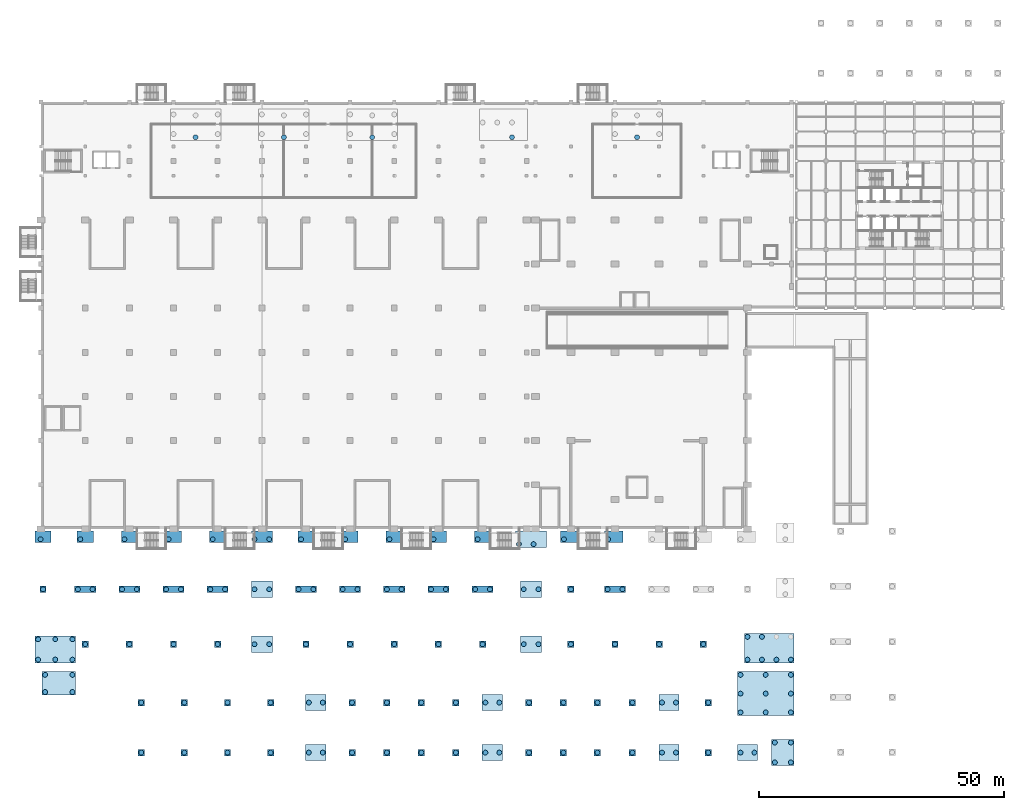
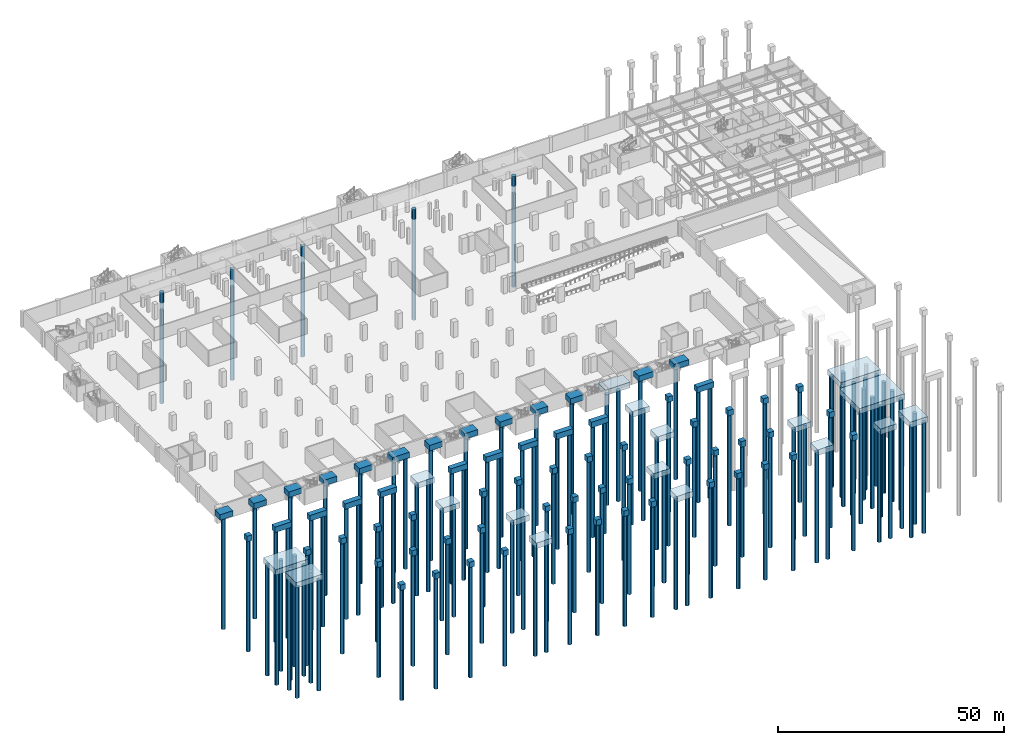
# One storey, part 1 of 27: 133 piles, 81 footings.
"""IFC4 building model written with IfcOpenShell, lengths in metres."""

from ifc_helpers import new_model, si_unit, direction, frame, origin, origin_2d, place, context, subcontext, project, spatial, rectangle, circle, extrude, material, material_profile, profile_set, type_object, element, save


model = new_model("IFC4")

# Units and contexts
model_context = context("Model", 3, precision=1e-05, world=origin(), true_north=direction((0.0, 1.0)))
body_context = subcontext(model_context, "Body", "Model", "MODEL_VIEW")
ifc_project = project(units=[si_unit("LENGTHUNIT", "METRE"), si_unit("AREAUNIT", "SQUARE_METRE"), si_unit("VOLUMEUNIT", "CUBIC_METRE"), si_unit("PLANEANGLEUNIT", "RADIAN"), si_unit("MASSUNIT", "GRAM", prefix="KILO")], contexts=[model_context])

# Site, building, storey
site_placement = place(None, origin())
site = spatial("IfcSite", under=ifc_project, at=site_placement, CompositionType="ELEMENT")
building_placement = place(site_placement, origin())
building = spatial("IfcBuilding", under=site, at=building_placement, Name="Aravalli Gate Trade Fair Centre", CompositionType="ELEMENT")
storey_placement = place(building_placement, frame((0.0, 0.0, -4.199951171875)))
storey = spatial("IfcBuildingStorey", under=building, at=storey_placement, Name="B1", CompositionType="ELEMENT", Elevation=-4.199951171875)

# Piles
ifc_material = material(Name="Concrete M35", Category="concrete")
ifc_material_profile = material_profile(ifc_material, circle(Radius=0.5, at=origin_2d()), Name="D1000")
ifc_profile_set = profile_set([ifc_material_profile], Name="Concrete M35")
pile_type = type_object("IfcPileType", Name="Basement bored pile D1000", PredefinedType="BORED", material=ifc_profile_set)
for number, where, z_axis, x_axis, name in (
    (1, (155.580078125, -1.60009765625, 2.39990234375), (0.0, 0.0, -1.0), (1.0, 0.0, 0.0), "Basement bored pile W001-01"),
    (2, (155.580078125, 2.449951171875, 2.39990234375), (0.0, 0.0, -1.0), (1.0, 0.0, 0.0), "Basement bored pile W001-02"),
    (3, (158.85009765625, -1.60009765625, 2.39990234375), (0.0, 0.0, -1.0), (1.0, 0.0, 0.0), "Basement bored pile W001-03"),
    (4, (158.85009765625, 2.449951171875, 2.39990234375), (0.0, 0.0, -1.0), (1.0, 0.0, 0.0), "Basement bored pile W001-04"),
    (5, (60.580078125, 0.39990234375, 2.39990234375), (0.0, 0.0, -1.0), (1.0, 0.0, 0.0), "Basement bored pile W002-01"),
    (6, (63.419921875, 0.39990234375, 2.39990234375), (0.0, 0.0, -1.0), (1.0, 0.0, 0.0), "Basement bored pile W002-02"),
    (7, (96.580078125, 0.39990234375, 2.39990234375), (0.0, 0.0, -1.0), (1.0, 0.0, 0.0), "Basement bored pile W003-01"),
    (8, (99.419921875, 0.39990234375, 2.39990234375), (0.0, 0.0, -1.0), (1.0, 0.0, 0.0), "Basement bored pile W003-02"),
    (9, (132.580078125, 0.39990234375, 2.39990234375), (0.0, 0.0, -1.0), (1.0, 0.0, 0.0), "Basement bored pile W004-01"),
    (10, (135.419921875, 0.39990234375, 2.39990234375), (0.0, 0.0, -1.0), (1.0, 0.0, 0.0), "Basement bored pile W004-02"),
    (11, (148.580078125, 0.39990234375, 2.39990234375), (0.0, 0.0, -1.0), (1.0, 0.0, 0.0), "Basement bored pile W005-01"),
    (12, (151.419921875, 0.39990234375, 2.39990234375), (0.0, 0.0, -1.0), (1.0, 0.0, 0.0), "Basement bored pile W005-02"),
    (13, (26.419921875, 0.39990234375, 2.39990234375), (0.0, 0.0, -1.0), (1.0, 0.0, 0.0), "Basement bored pile W006-01"),
    (14, (35.2099609375, 0.39990234375, 2.39990234375), (0.0, 0.0, -1.0), (1.0, 0.0, 0.0), "Basement bored pile W007-01"),
    (15, (44.0, 0.39990234375, 2.39990234375), (0.0, 0.0, -1.0), (1.0, 0.0, 0.0), "Basement bored pile W008-01"),
    (16, (52.7900390625, 0.39990234375, 2.39990234375), (0.0, 0.0, -1.0), (1.0, 0.0, 0.0), "Basement bored pile W009-01"),
    (17, (69.402099609375, 0.39990234375, 2.39990234375), (0.0, 0.0, -1.0), (1.0, 0.0, 0.0), "Basement bored pile W010-01"),
    (18, (76.48388671875, 0.39990234375, 2.39990234375), (0.0, 0.0, -1.0), (1.0, 0.0, 0.0), "Basement bored pile W011-01"),
    (19, (83.51611328125, 0.39990234375, 2.39990234375), (0.0, 0.0, -1.0), (1.0, 0.0, 0.0), "Basement bored pile W012-01"),
    (20, (90.548095703125, 0.39990234375, 2.39990234375), (0.0, 0.0, -1.0), (1.0, 0.0, 0.0), "Basement bored pile W013-01"),
    (21, (105.451904296875, 0.39990234375, 2.39990234375), (0.0, 0.0, -1.0), (1.0, 0.0, 0.0), "Basement bored pile W014-01"),
    (22, (112.48388671875, 0.39990234375, 2.39990234375), (0.0, 0.0, -1.0), (1.0, 0.0, 0.0), "Basement bored pile W015-01"),
    (23, (119.416015625, 0.39990234375, 2.39990234375), (0.0, 0.0, -1.0), (1.0, 0.0, 0.0), "Basement bored pile W016-01"),
    (24, (126.548095703125, 0.39990234375, 2.39990234375), (0.0, 0.0, -1.0), (1.0, 0.0, 0.0), "Basement bored pile W017-01"),
    (25, (142.0, 0.39990234375, 2.39990234375), (0.0, 0.0, -1.0), (1.0, 0.0, 0.0), "Basement bored pile W018-01"),
    (26, (148.580078125, 8.60009765625, 2.39990234375), (0.0, 0.0, -1.0), (1.0, 0.0, 0.0), "Basement bored pile W019-01"),
    (27, (148.580078125, 12.425048828125, 2.39990234375), (0.0, 0.0, -1.0), (1.0, 0.0, 0.0), "Basement bored pile W019-02"),
    (28, (148.580078125, 16.25, 2.39990234375), (0.0, 0.0, -1.0), (1.0, 0.0, 0.0), "Basement bored pile W019-03"),
    (29, (153.715087890625, 8.60009765625, 2.39990234375), (0.0, 0.0, -1.0), (1.0, 0.0, 0.0), "Basement bored pile W019-04"),
    (30, (153.715087890625, 12.425048828125, 2.39990234375), (0.0, 0.0, -1.0), (1.0, 0.0, 0.0), "Basement bored pile W019-05"),
    (31, (153.715087890625, 16.25, 2.39990234375), (0.0, 0.0, -1.0), (1.0, 0.0, 0.0), "Basement bored pile W019-06"),
    (32, (158.85009765625, 8.60009765625, 2.39990234375), (0.0, 0.0, -1.0), (1.0, 0.0, 0.0), "Basement bored pile W019-07"),
    (33, (158.85009765625, 12.425048828125, 2.39990234375), (0.0, 0.0, -1.0), (1.0, 0.0, 0.0), "Basement bored pile W019-08"),
    (34, (158.85009765625, 16.25, 2.39990234375), (0.0, 0.0, -1.0), (1.0, 0.0, 0.0), "Basement bored pile W019-09"),
    (35, (60.580078125, 10.60009765625, 2.39990234375), (0.0, 0.0, -1.0), (1.0, 0.0, 0.0), "Basement bored pile W020-01"),
    (36, (63.419921875, 10.60009765625, 2.39990234375), (0.0, 0.0, -1.0), (1.0, 0.0, 0.0), "Basement bored pile W020-02"),
    (37, (96.580078125, 10.60009765625, 2.39990234375), (0.0, 0.0, -1.0), (1.0, 0.0, 0.0), "Basement bored pile W021-01"),
    (38, (99.419921875, 10.60009765625, 2.39990234375), (0.0, 0.0, -1.0), (1.0, 0.0, 0.0), "Basement bored pile W021-02"),
    (39, (132.580078125, 10.60009765625, 2.39990234375), (0.0, 0.0, -1.0), (1.0, 0.0, 0.0), "Basement bored pile W022-01"),
    (40, (135.419921875, 10.60009765625, 2.39990234375), (0.0, 0.0, -1.0), (1.0, 0.0, 0.0), "Basement bored pile W022-02"),
    (41, (26.419921875, 10.60009765625, 2.39990234375), (0.0, 0.0, -1.0), (1.0, 0.0, 0.0), "Basement bored pile W023-01"),
    (42, (35.2099609375, 10.60009765625, 2.39990234375), (0.0, 0.0, -1.0), (1.0, 0.0, 0.0), "Basement bored pile W024-01"),
    (43, (44.0, 10.60009765625, 2.39990234375), (0.0, 0.0, -1.0), (1.0, 0.0, 0.0), "Basement bored pile W025-01"),
    (44, (52.7900390625, 10.60009765625, 2.39990234375), (0.0, 0.0, -1.0), (1.0, 0.0, 0.0), "Basement bored pile W026-01"),
    (45, (69.402099609375, 10.60009765625, 2.39990234375), (0.0, 0.0, -1.0), (1.0, 0.0, 0.0), "Basement bored pile W027-01"),
    (46, (76.48388671875, 10.60009765625, 2.39990234375), (0.0, 0.0, -1.0), (1.0, 0.0, 0.0), "Basement bored pile W028-01"),
    (47, (83.51611328125, 10.60009765625, 2.39990234375), (0.0, 0.0, -1.0), (1.0, 0.0, 0.0), "Basement bored pile W029-01"),
    (48, (90.548095703125, 10.60009765625, 2.39990234375), (0.0, 0.0, -1.0), (1.0, 0.0, 0.0), "Basement bored pile W030-01"),
    (49, (105.451904296875, 10.60009765625, 2.39990234375), (0.0, 0.0, -1.0), (1.0, 0.0, 0.0), "Basement bored pile W031-01"),
    (50, (112.48388671875, 10.60009765625, 2.39990234375), (0.0, 0.0, -1.0), (1.0, 0.0, 0.0), "Basement bored pile W032-01"),
    (51, (119.416015625, 10.60009765625, 2.39990234375), (0.0, 0.0, -1.0), (1.0, 0.0, 0.0), "Basement bored pile W033-01"),
    (52, (126.548095703125, 10.60009765625, 2.39990234375), (0.0, 0.0, -1.0), (1.0, 0.0, 0.0), "Basement bored pile W034-01"),
    (53, (142.0, 10.60009765625, 2.39990234375), (0.0, 0.0, -1.0), (1.0, 0.0, 0.0), "Basement bored pile W035-01"),
    (54, (6.824951171875, 12.75, 2.39990234375), (0.0, 0.0, -1.0), (1.0, 0.0, 0.0), "Basement bored pile W036-01"),
    (55, (6.824951171875, 16.25, 2.39990234375), (0.0, 0.0, -1.0), (1.0, 0.0, 0.0), "Basement bored pile W036-02"),
    (56, (12.375, 12.75, 2.39990234375), (0.0, 0.0, -1.0), (1.0, 0.0, 0.0), "Basement bored pile W036-03"),
    (57, (12.375, 16.25, 2.39990234375), (0.0, 0.0, -1.0), (1.0, 0.0, 0.0), "Basement bored pile W036-04"),
    (58, (5.39990234375, 19.35009765625, 2.39990234375), (0.0, 0.0, -1.0), (1.0, 0.0, 0.0), "Basement bored pile W037-01"),
    (59, (5.39990234375, 23.5, 2.39990234375), (0.0, 0.0, -1.0), (1.0, 0.0, 0.0), "Basement bored pile W037-02"),
    (60, (8.887451171875, 19.35009765625, 2.39990234375), (0.0, 0.0, -1.0), (1.0, 0.0, 0.0), "Basement bored pile W037-03"),
    (61, (8.887451171875, 23.5, 2.39990234375), (0.0, 0.0, -1.0), (1.0, 0.0, 0.0), "Basement bored pile W037-04"),
    (62, (12.375, 19.35009765625, 2.39990234375), (0.0, 0.0, -1.0), (1.0, 0.0, 0.0), "Basement bored pile W037-05"),
    (63, (12.375, 23.5, 2.39990234375), (0.0, 0.0, -1.0), (1.0, 0.0, 0.0), "Basement bored pile W037-06"),
    (64, (150.0, 19.35009765625, 2.39990234375), (0.0, 0.0, -1.0), (1.0, 0.0, 0.0), "Basement bored pile W038-01"),
    (65, (150.0, 24.0, 2.39990234375), (0.0, 0.0, -1.0), (1.0, 0.0, 0.0), "Basement bored pile W038-02"),
    (66, (152.949951171875, 19.35009765625, 2.39990234375), (0.0, 0.0, -1.0), (1.0, 0.0, 0.0), "Basement bored pile W038-03"),
    (67, (152.949951171875, 24.0, 2.39990234375), (0.0, 0.0, -1.0), (1.0, 0.0, 0.0), "Basement bored pile W038-04"),
    (68, (155.89990234375, 19.35009765625, 2.39990234375), (0.0, 0.0, -1.0), (1.0, 0.0, 0.0), "Basement bored pile W038-05"),
    (69, (158.85009765625, 19.35009765625, 2.39990234375), (0.0, 0.0, -1.0), (1.0, 0.0, 0.0), "Basement bored pile W038-07"),
    (70, (49.5, 22.5, 2.39990234375), (0.0, 0.0, -1.0), (1.0, 0.0, 0.0), "Basement bored pile W039-01"),
    (71, (52.5, 22.5, 2.39990234375), (0.0, 0.0, -1.0), (1.0, 0.0, 0.0), "Basement bored pile W039-02"),
    (72, (104.39990234375, 22.5, 2.39990234375), (0.0, 0.0, -1.0), (1.0, 0.0, 0.0), "Basement bored pile W040-01"),
    (73, (107.39990234375, 22.5, 2.39990234375), (0.0, 0.0, -1.0), (1.0, 0.0, 0.0), "Basement bored pile W040-02"),
    (74, (15.0, 22.5, 2.39990234375), (0.0, 0.0, -1.0), (1.0, 0.0, 0.0), "Basement bored pile W041-01"),
    (75, (24.0, 22.5, 2.39990234375), (0.0, 0.0, -1.0), (1.0, 0.0, 0.0), "Basement bored pile W042-01"),
    (76, (33.0, 22.5, 2.39990234375), (0.0, 0.0, -1.0), (1.0, 0.0, 0.0), "Basement bored pile W043-01"),
    (77, (42.0, 22.5, 2.39990234375), (0.0, 0.0, -1.0), (1.0, 0.0, 0.0), "Basement bored pile W044-01"),
    (78, (60.0, 22.5, 2.39990234375), (0.0, 0.0, -1.0), (1.0, 0.0, 0.0), "Basement bored pile W045-01"),
    (79, (69.0, 22.5, 2.39990234375), (0.0, 0.0, -1.0), (1.0, 0.0, 0.0), "Basement bored pile W046-01"),
    (80, (78.0, 22.5, 2.39990234375), (0.0, 0.0, -1.0), (1.0, 0.0, 0.0), "Basement bored pile W047-01"),
    (81, (87.0, 22.5, 2.39990234375), (0.0, 0.0, -1.0), (1.0, 0.0, 0.0), "Basement bored pile W048-01"),
    (82, (96.0, 22.5, 2.39990234375), (0.0, 0.0, -1.0), (1.0, 0.0, 0.0), "Basement bored pile W049-01"),
    (83, (114.0, 22.5, 2.39990234375), (0.0, 0.0, -1.0), (1.0, 0.0, 0.0), "Basement bored pile W050-01"),
    (84, (123.0, 22.5, 2.39990234375), (0.0, 0.0, -1.0), (1.0, 0.0, 0.0), "Basement bored pile W051-01"),
    (85, (132.0, 22.5, 2.39990234375), (0.0, 0.0, -1.0), (1.0, 0.0, 0.0), "Basement bored pile W052-01"),
    (86, (141.0, 22.5, 2.39990234375), (0.0, 0.0, -1.0), (1.0, 0.0, 0.0), "Basement bored pile W053-01"),
    (87, (49.5, 33.699951171875, 2.39990234375), (0.0, 0.0, -1.0), (1.0, 0.0, 0.0), "Basement bored pile W054-01"),
    (88, (52.5, 33.699951171875, 2.39990234375), (0.0, 0.0, -1.0), (1.0, 0.0, 0.0), "Basement bored pile W054-02"),
    (89, (104.39990234375, 33.699951171875, 2.39990234375), (0.0, 0.0, -1.0), (1.0, 0.0, 0.0), "Basement bored pile W055-01"),
    (90, (107.39990234375, 33.699951171875, 2.39990234375), (0.0, 0.0, -1.0), (1.0, 0.0, 0.0), "Basement bored pile W055-02"),
    (91, (6.39990234375, 33.699951171875, 2.39990234375), (0.0, 0.0, -1.0), (1.0, 0.0, 0.0), "Basement bored pile W057-01"),
    (92, (13.5, 33.699951171875, 2.39990234375), (0.0, 0.0, -1.0), (1.0, 0.0, 0.0), "Basement bored pile W058-01"),
    (93, (16.5, 33.699951171875, 2.39990234375), (0.0, 0.0, -1.0), (1.0, 0.0, 0.0), "Basement bored pile W058-02"),
    (94, (22.5, 33.699951171875, 2.39990234375), (0.0, 0.0, -1.0), (1.0, 0.0, 0.0), "Basement bored pile W059-01"),
    (95, (25.5, 33.699951171875, 2.39990234375), (0.0, 0.0, -1.0), (1.0, 0.0, 0.0), "Basement bored pile W059-02"),
    (96, (31.5, 33.699951171875, 2.39990234375), (0.0, 0.0, -1.0), (1.0, 0.0, 0.0), "Basement bored pile W060-01"),
    (97, (34.5, 33.699951171875, 2.39990234375), (0.0, 0.0, -1.0), (1.0, 0.0, 0.0), "Basement bored pile W060-02"),
    (98, (40.5, 33.699951171875, 2.39990234375), (0.0, 0.0, -1.0), (1.0, 0.0, 0.0), "Basement bored pile W061-01"),
    (99, (43.5, 33.699951171875, 2.39990234375), (0.0, 0.0, -1.0), (1.0, 0.0, 0.0), "Basement bored pile W061-02"),
    (100, (58.5, 33.699951171875, 2.39990234375), (0.0, 0.0, -1.0), (1.0, 0.0, 0.0), "Basement bored pile W062-01"),
    (101, (61.5, 33.699951171875, 2.39990234375), (0.0, 0.0, -1.0), (1.0, 0.0, 0.0), "Basement bored pile W062-02"),
    (102, (67.5, 33.699951171875, 2.39990234375), (0.0, 0.0, -1.0), (1.0, 0.0, 0.0), "Basement bored pile W063-01"),
    (103, (70.5, 33.699951171875, 2.39990234375), (0.0, 0.0, -1.0), (1.0, 0.0, 0.0), "Basement bored pile W063-02"),
    (104, (76.5, 33.699951171875, 2.39990234375), (0.0, 0.0, -1.0), (1.0, 0.0, 0.0), "Basement bored pile W064-01"),
    (105, (79.5, 33.699951171875, 2.39990234375), (0.0, 0.0, -1.0), (1.0, 0.0, 0.0), "Basement bored pile W064-02"),
    (106, (85.5, 33.699951171875, 2.39990234375), (0.0, 0.0, -1.0), (1.0, 0.0, 0.0), "Basement bored pile W065-01"),
    (107, (88.5, 33.699951171875, 2.39990234375), (0.0, 0.0, -1.0), (1.0, 0.0, 0.0), "Basement bored pile W065-02"),
    (108, (94.5, 33.699951171875, 2.39990234375), (0.0, 0.0, -1.0), (1.0, 0.0, 0.0), "Basement bored pile W066-01"),
    (109, (97.5, 33.699951171875, 2.39990234375), (0.0, 0.0, -1.0), (1.0, 0.0, 0.0), "Basement bored pile W066-02"),
    (110, (114.0, 33.699951171875, 2.39990234375), (0.0, 0.0, -1.0), (1.0, 0.0, 0.0), "Basement bored pile W067-01"),
    (111, (121.5, 33.699951171875, 2.39990234375), (0.0, 0.0, -1.0), (1.0, 0.0, 0.0), "Basement bored pile W068-01"),
    (112, (124.5, 33.699951171875, 2.39990234375), (0.0, 0.0, -1.0), (1.0, 0.0, 0.0), "Basement bored pile W068-02"),
    (113, (103.39990234375, 42.89990234375, 2.39990234375), (0.0, 0.0, -1.0), (1.0, 0.0, 0.0), "Basement bored pile W072-01"),
    (114, (106.39990234375, 42.89990234375, 2.39990234375), (0.0, 0.0, -1.0), (1.0, 0.0, 0.0), "Basement bored pile W072-02"),
    (115, (5.89990234375, 43.89990234375, 2.39990234375), (0.0, 0.0, -1.0), (1.0, 0.0, 0.0), "Basement bored pile W073-01"),
    (116, (14.0, 43.89990234375, 2.39990234375), (0.0, 0.0, -1.0), (1.0, 0.0, 0.0), "Basement bored pile W074-01"),
    (117, (23.0, 43.89990234375, 2.39990234375), (0.0, 0.0, -1.0), (1.0, 0.0, 0.0), "Basement bored pile W075-01"),
    (118, (32.0, 43.89990234375, 2.39990234375), (0.0, 0.0, -1.0), (1.0, 0.0, 0.0), "Basement bored pile W076-01"),
    (119, (41.0, 43.89990234375, 2.39990234375), (0.0, 0.0, -1.0), (1.0, 0.0, 0.0), "Basement bored pile W077-01"),
    (120, (49.5, 43.89990234375, 2.39990234375), (0.0, 0.0, -1.0), (1.0, 0.0, 0.0), "Basement bored pile W078-01"),
    (121, (52.5, 43.89990234375, 2.39990234375), (0.0, 0.0, -1.0), (1.0, 0.0, 0.0), "Basement bored pile W078-02"),
    (122, (59.0, 43.89990234375, 2.39990234375), (0.0, 0.0, -1.0), (1.0, 0.0, 0.0), "Basement bored pile W079-01"),
    (123, (68.0, 43.89990234375, 2.39990234375), (0.0, 0.0, -1.0), (1.0, 0.0, 0.0), "Basement bored pile W080-01"),
    (124, (77.0, 43.89990234375, 2.39990234375), (0.0, 0.0, -1.0), (1.0, 0.0, 0.0), "Basement bored pile W081-01"),
    (125, (86.0, 43.89990234375, 2.39990234375), (0.0, 0.0, -1.0), (1.0, 0.0, 0.0), "Basement bored pile W082-01"),
    (126, (95.0, 43.89990234375, 2.39990234375), (0.0, 0.0, -1.0), (1.0, 0.0, 0.0), "Basement bored pile W083-01"),
    (127, (112.60009765625, 43.89990234375, 2.39990234375), (0.0, 0.0, -1.0), (1.0, 0.0, 0.0), "Basement bored pile W084-01"),
    (128, (121.60009765625, 43.89990234375, 2.39990234375), (0.0, 0.0, -1.0), (1.0, 0.0, 0.0), "Basement bored pile W085-01"),
    (129, (37.5, 125.85009765625, 2.699951171875), (0.0, 0.0, -1.0), (1.0, 0.0, 0.0), "Basement bored pile W253-03"),
    (130, (55.5, 125.85009765625, 2.699951171875), (0.0, 0.0, -1.0), (1.0, 0.0, 0.0), "Basement bored pile W254-03"),
    (131, (73.5, 125.85009765625, 2.699951171875), (0.0, 0.0, -1.0), (1.0, 0.0, 0.0), "Basement bored pile W255-03"),
    (132, (102.0, 125.85009765625, 2.699951171875), (0.0, 0.0, -1.0), (1.0, 0.0, 0.0), "Basement bored pile W256-03"),
    (133, (127.5, 125.85009765625, 2.699951171875), (0.0, 0.0, -1.0), (1.0, 0.0, 0.0), "Basement bored pile W257-03"),
):
    element("IfcPile", number, at=place(storey_placement, frame(where, z_axis=z_axis, x_axis=x_axis)), inside=storey, type_object=pile_type, Name=name, PredefinedType="BORED", context=body_context, shape_type="SweptSolid", body=[
        extrude(circle(Radius=0.5, at=origin_2d()), origin(), (0.0, 0.0, 1.0), 30.0),
    ])

# Footings
footing_type_1 = type_object("IfcFootingType", Name="Basement pile cap 1.3 x 1.3 (1 x 1 piles)", PredefinedType="PILE_CAP", material=ifc_material)
for number, where, z_axis, x_axis, name in (
    (134, (26.419921875, 0.39990234375, 2.39990234375), (0.0, 0.0, 1.0), (1.0, 0.0, 0.0), "Basement pile cap W006"),
    (135, (35.2099609375, 0.39990234375, 2.39990234375), (0.0, 0.0, 1.0), (1.0, 0.0, 0.0), "Basement pile cap W007"),
    (136, (44.0, 0.39990234375, 2.39990234375), (0.0, 0.0, 1.0), (1.0, 0.0, 0.0), "Basement pile cap W008"),
    (137, (52.7900390625, 0.39990234375, 2.39990234375), (0.0, 0.0, 1.0), (1.0, 0.0, 0.0), "Basement pile cap W009"),
    (138, (69.402099609375, 0.39990234375, 2.39990234375), (0.0, 0.0, 1.0), (1.0, 0.0, 0.0), "Basement pile cap W010"),
    (139, (76.48388671875, 0.39990234375, 2.39990234375), (0.0, 0.0, 1.0), (1.0, 0.0, 0.0), "Basement pile cap W011"),
    (140, (83.51611328125, 0.39990234375, 2.39990234375), (0.0, 0.0, 1.0), (1.0, 0.0, 0.0), "Basement pile cap W012"),
    (141, (90.548095703125, 0.39990234375, 2.39990234375), (0.0, 0.0, 1.0), (1.0, 0.0, 0.0), "Basement pile cap W013"),
    (142, (105.451904296875, 0.39990234375, 2.39990234375), (0.0, 0.0, 1.0), (1.0, 0.0, 0.0), "Basement pile cap W014"),
    (143, (112.48388671875, 0.39990234375, 2.39990234375), (0.0, 0.0, 1.0), (1.0, 0.0, 0.0), "Basement pile cap W015"),
    (144, (119.416015625, 0.39990234375, 2.39990234375), (0.0, 0.0, 1.0), (1.0, 0.0, 0.0), "Basement pile cap W016"),
    (145, (126.548095703125, 0.39990234375, 2.39990234375), (0.0, 0.0, 1.0), (1.0, 0.0, 0.0), "Basement pile cap W017"),
    (146, (142.0, 0.39990234375, 2.39990234375), (0.0, 0.0, 1.0), (1.0, 0.0, 0.0), "Basement pile cap W018"),
    (147, (26.419921875, 10.60009765625, 2.39990234375), (0.0, 0.0, 1.0), (1.0, 0.0, 0.0), "Basement pile cap W023"),
    (148, (35.2099609375, 10.60009765625, 2.39990234375), (0.0, 0.0, 1.0), (1.0, 0.0, 0.0), "Basement pile cap W024"),
    (149, (44.0, 10.60009765625, 2.39990234375), (0.0, 0.0, 1.0), (1.0, 0.0, 0.0), "Basement pile cap W025"),
    (150, (52.7900390625, 10.60009765625, 2.39990234375), (0.0, 0.0, 1.0), (1.0, 0.0, 0.0), "Basement pile cap W026"),
    (151, (69.402099609375, 10.60009765625, 2.39990234375), (0.0, 0.0, 1.0), (1.0, 0.0, 0.0), "Basement pile cap W027"),
    (152, (76.48388671875, 10.60009765625, 2.39990234375), (0.0, 0.0, 1.0), (1.0, 0.0, 0.0), "Basement pile cap W028"),
    (153, (83.51611328125, 10.60009765625, 2.39990234375), (0.0, 0.0, 1.0), (1.0, 0.0, 0.0), "Basement pile cap W029"),
    (154, (90.548095703125, 10.60009765625, 2.39990234375), (0.0, 0.0, 1.0), (1.0, 0.0, 0.0), "Basement pile cap W030"),
    (155, (105.451904296875, 10.60009765625, 2.39990234375), (0.0, 0.0, 1.0), (1.0, 0.0, 0.0), "Basement pile cap W031"),
    (156, (112.48388671875, 10.60009765625, 2.39990234375), (0.0, 0.0, 1.0), (1.0, 0.0, 0.0), "Basement pile cap W032"),
    (157, (119.416015625, 10.60009765625, 2.39990234375), (0.0, 0.0, 1.0), (1.0, 0.0, 0.0), "Basement pile cap W033"),
    (158, (126.548095703125, 10.60009765625, 2.39990234375), (0.0, 0.0, 1.0), (1.0, 0.0, 0.0), "Basement pile cap W034"),
    (159, (142.0, 10.60009765625, 2.39990234375), (0.0, 0.0, 1.0), (1.0, 0.0, 0.0), "Basement pile cap W035"),
    (160, (15.0, 22.5, 2.39990234375), (0.0, 0.0, 1.0), (1.0, 0.0, 0.0), "Basement pile cap W041"),
    (161, (24.0, 22.5, 2.39990234375), (0.0, 0.0, 1.0), (1.0, 0.0, 0.0), "Basement pile cap W042"),
    (162, (33.0, 22.5, 2.39990234375), (0.0, 0.0, 1.0), (1.0, 0.0, 0.0), "Basement pile cap W043"),
    (163, (42.0, 22.5, 2.39990234375), (0.0, 0.0, 1.0), (1.0, 0.0, 0.0), "Basement pile cap W044"),
    (164, (60.0, 22.5, 2.39990234375), (0.0, 0.0, 1.0), (1.0, 0.0, 0.0), "Basement pile cap W045"),
    (165, (69.0, 22.5, 2.39990234375), (0.0, 0.0, 1.0), (1.0, 0.0, 0.0), "Basement pile cap W046"),
    (166, (78.0, 22.5, 2.39990234375), (0.0, 0.0, 1.0), (1.0, 0.0, 0.0), "Basement pile cap W047"),
    (167, (87.0, 22.5, 2.39990234375), (0.0, 0.0, 1.0), (1.0, 0.0, 0.0), "Basement pile cap W048"),
    (168, (96.0, 22.5, 2.39990234375), (0.0, 0.0, 1.0), (1.0, 0.0, 0.0), "Basement pile cap W049"),
    (169, (114.0, 22.5, 2.39990234375), (0.0, 0.0, 1.0), (1.0, 0.0, 0.0), "Basement pile cap W050"),
    (170, (123.0, 22.5, 2.39990234375), (0.0, 0.0, 1.0), (1.0, 0.0, 0.0), "Basement pile cap W051"),
    (171, (132.0, 22.5, 2.39990234375), (0.0, 0.0, 1.0), (1.0, 0.0, 0.0), "Basement pile cap W052"),
    (172, (141.0, 22.5, 2.39990234375), (0.0, 0.0, 1.0), (1.0, 0.0, 0.0), "Basement pile cap W053"),
    (173, (6.39990234375, 33.699951171875, 2.39990234375), (0.0, 0.0, 1.0), (1.0, 0.0, 0.0), "Basement pile cap W057"),
    (174, (114.0, 33.699951171875, 2.39990234375), (0.0, 0.0, 1.0), (1.0, 0.0, 0.0), "Basement pile cap W067"),
):
    element("IfcFooting", number, at=place(storey_placement, frame(where, z_axis=z_axis, x_axis=x_axis)), inside=storey, type_object=footing_type_1, Name=name, PredefinedType="PILE_CAP", context=body_context, shape_type="SweptSolid", body=[
        extrude(rectangle(XDim=1.300048828125, YDim=1.300048828125, at=origin_2d()), origin(), (0.0, 0.0, 1.0), 1.5),
    ])
footing_type_2 = type_object("IfcFootingType", Name="Basement pile cap 10.15 x 5.95 (4 x 2 piles)", PredefinedType="PILE_CAP", material=ifc_material)
footing_1_placement = place(storey_placement, frame((154.425048828125, 21.675048828125, 2.39990234375), z_axis=(0.0, 0.0, 1.0), x_axis=(1.0, 0.0, 0.0)))
element("IfcFooting", 175, at=footing_1_placement, inside=storey, type_object=footing_type_2, Name="Basement pile cap W038", PredefinedType="PILE_CAP", context=body_context, shape_type="SweptSolid", body=[
    extrude(rectangle(XDim=10.14990234375, YDim=5.949951171875, at=origin_2d()), origin(), (0.0, 0.0, 1.0), 1.5),
])
footing_type_3 = type_object("IfcFootingType", Name="Basement pile cap 11.57 x 8.95 (3 x 3 piles)", PredefinedType="PILE_CAP", material=ifc_material)
footing_2_placement = place(storey_placement, frame((153.715087890625, 12.425048828125, 2.39990234375), z_axis=(0.0, 0.0, 1.0), x_axis=(1.0, 0.0, 0.0)))
element("IfcFooting", 176, at=footing_2_placement, inside=storey, type_object=footing_type_3, Name="Basement pile cap W019", PredefinedType="PILE_CAP", context=body_context, shape_type="SweptSolid", body=[
    extrude(rectangle(XDim=11.570068359375, YDim=8.949951171875, at=origin_2d()), origin(), (0.0, 0.0, 1.0), 1.5),
])
footing_type_4 = type_object("IfcFootingType", Name="Basement pile cap 3.3 x 2.3 (1 x 1 piles)", PredefinedType="PILE_CAP", material=ifc_material)
for number, where, z_axis, x_axis, name in (
    (177, (6.39990234375, 44.39990234375, 2.39990234375), (0.0, 0.0, 1.0), (1.0, 0.0, 0.0), "Basement pile cap W073"),
    (178, (15.0, 44.39990234375, 2.39990234375), (0.0, 0.0, 1.0), (1.0, 0.0, 0.0), "Basement pile cap W074"),
    (179, (24.0, 44.39990234375, 2.39990234375), (0.0, 0.0, 1.0), (1.0, 0.0, 0.0), "Basement pile cap W075"),
    (180, (33.0, 44.39990234375, 2.39990234375), (0.0, 0.0, 1.0), (1.0, 0.0, 0.0), "Basement pile cap W076"),
    (181, (42.0, 44.39990234375, 2.39990234375), (0.0, 0.0, 1.0), (1.0, 0.0, 0.0), "Basement pile cap W077"),
    (182, (60.0, 44.39990234375, 2.39990234375), (0.0, 0.0, 1.0), (1.0, 0.0, 0.0), "Basement pile cap W079"),
    (183, (69.0, 44.39990234375, 2.39990234375), (0.0, 0.0, 1.0), (1.0, 0.0, 0.0), "Basement pile cap W080"),
    (184, (78.0, 44.39990234375, 2.39990234375), (0.0, 0.0, 1.0), (1.0, 0.0, 0.0), "Basement pile cap W081"),
    (185, (87.0, 44.39990234375, 2.39990234375), (0.0, 0.0, 1.0), (1.0, 0.0, 0.0), "Basement pile cap W082"),
    (186, (96.0, 44.39990234375, 2.39990234375), (0.0, 0.0, 1.0), (1.0, 0.0, 0.0), "Basement pile cap W083"),
):
    element("IfcFooting", number, at=place(storey_placement, frame(where, z_axis=z_axis, x_axis=x_axis)), inside=storey, type_object=footing_type_4, Name=name, PredefinedType="PILE_CAP", context=body_context, shape_type="SweptSolid", body=[
        extrude(rectangle(XDim=3.300048828125, YDim=2.300048828125, at=origin_2d()), origin(), (0.0, 0.0, 1.0), 1.5),
    ])
footing_type_5 = type_object("IfcFootingType", Name="Basement pile cap 3.8 x 2.3 (1 x 1 piles)", PredefinedType="PILE_CAP", material=ifc_material)
for number, where, z_axis, x_axis, name in (
    (187, (113.75, 44.39990234375, 2.39990234375), (0.0, 0.0, 1.0), (1.0, 0.0, 0.0), "Basement pile cap W084"),
    (188, (122.75, 44.39990234375, 2.39990234375), (0.0, 0.0, 1.0), (1.0, 0.0, 0.0), "Basement pile cap W085"),
):
    element("IfcFooting", number, at=place(storey_placement, frame(where, z_axis=z_axis, x_axis=x_axis)), inside=storey, type_object=footing_type_5, Name=name, PredefinedType="PILE_CAP", context=body_context, shape_type="SweptSolid", body=[
        extrude(rectangle(XDim=3.800048828125, YDim=2.300048828125, at=origin_2d()), origin(), (0.0, 0.0, 1.0), 1.5),
    ])
footing_type_6 = type_object("IfcFootingType", Name="Basement pile cap 4.14 x 3.3 (2 x 1 piles)", PredefinedType="PILE_CAP", material=ifc_material)
for number, where, z_axis, x_axis, name in (
    (189, (62.0, 0.39990234375, 2.39990234375), (0.0, 0.0, 1.0), (1.0, 0.0, 0.0), "Basement pile cap W002"),
    (190, (98.0, 0.39990234375, 2.39990234375), (0.0, 0.0, 1.0), (1.0, 0.0, 0.0), "Basement pile cap W003"),
    (191, (134.0, 0.39990234375, 2.39990234375), (0.0, 0.0, 1.0), (1.0, 0.0, 0.0), "Basement pile cap W004"),
    (192, (150.0, 0.39990234375, 2.39990234375), (0.0, 0.0, 1.0), (1.0, 0.0, 0.0), "Basement pile cap W005"),
    (193, (62.0, 10.60009765625, 2.39990234375), (0.0, 0.0, 1.0), (1.0, 0.0, 0.0), "Basement pile cap W020"),
    (194, (98.0, 10.60009765625, 2.39990234375), (0.0, 0.0, 1.0), (1.0, 0.0, 0.0), "Basement pile cap W021"),
    (195, (134.0, 10.60009765625, 2.39990234375), (0.0, 0.0, 1.0), (1.0, 0.0, 0.0), "Basement pile cap W022"),
):
    element("IfcFooting", number, at=place(storey_placement, frame(where, z_axis=z_axis, x_axis=x_axis)), inside=storey, type_object=footing_type_6, Name=name, PredefinedType="PILE_CAP", context=body_context, shape_type="SweptSolid", body=[
        extrude(rectangle(XDim=4.139892578125, YDim=3.300048828125, at=origin_2d()), origin(), (0.0, 0.0, 1.0), 1.5),
    ])
footing_type_7 = type_object("IfcFootingType", Name="Basement pile cap 4.3 x 1.3 (2 x 1 piles)", PredefinedType="PILE_CAP", material=ifc_material)
for number, where, z_axis, x_axis, name in (
    (196, (15.0, 33.699951171875, 2.39990234375), (0.0, 0.0, 1.0), (1.0, 0.0, 0.0), "Basement pile cap W058"),
    (197, (24.0, 33.699951171875, 2.39990234375), (0.0, 0.0, 1.0), (1.0, 0.0, 0.0), "Basement pile cap W059"),
    (198, (33.0, 33.699951171875, 2.39990234375), (0.0, 0.0, 1.0), (1.0, 0.0, 0.0), "Basement pile cap W060"),
    (199, (42.0, 33.699951171875, 2.39990234375), (0.0, 0.0, 1.0), (1.0, 0.0, 0.0), "Basement pile cap W061"),
    (200, (60.0, 33.699951171875, 2.39990234375), (0.0, 0.0, 1.0), (1.0, 0.0, 0.0), "Basement pile cap W062"),
    (201, (69.0, 33.699951171875, 2.39990234375), (0.0, 0.0, 1.0), (1.0, 0.0, 0.0), "Basement pile cap W063"),
    (202, (78.0, 33.699951171875, 2.39990234375), (0.0, 0.0, 1.0), (1.0, 0.0, 0.0), "Basement pile cap W064"),
    (203, (87.0, 33.699951171875, 2.39990234375), (0.0, 0.0, 1.0), (1.0, 0.0, 0.0), "Basement pile cap W065"),
    (204, (96.0, 33.699951171875, 2.39990234375), (0.0, 0.0, 1.0), (1.0, 0.0, 0.0), "Basement pile cap W066"),
    (205, (123.0, 33.699951171875, 2.39990234375), (0.0, 0.0, 1.0), (1.0, 0.0, 0.0), "Basement pile cap W068"),
):
    element("IfcFooting", number, at=place(storey_placement, frame(where, z_axis=z_axis, x_axis=x_axis)), inside=storey, type_object=footing_type_7, Name=name, PredefinedType="PILE_CAP", context=body_context, shape_type="SweptSolid", body=[
        extrude(rectangle(XDim=4.300048828125, YDim=1.300048828125, at=origin_2d()), origin(), (0.0, 0.0, 1.0), 1.5),
    ])
footing_type_8 = type_object("IfcFootingType", Name="Basement pile cap 4.3 x 2.3 (2 x 1 piles)", PredefinedType="PILE_CAP", material=ifc_material)
footing_3_placement = place(storey_placement, frame((51.0, 44.39990234375, 2.39990234375), z_axis=(0.0, 0.0, 1.0), x_axis=(1.0, 0.0, 0.0)))
element("IfcFooting", 206, at=footing_3_placement, inside=storey, type_object=footing_type_8, Name="Basement pile cap W078", PredefinedType="PILE_CAP", context=body_context, shape_type="SweptSolid", body=[
    extrude(rectangle(XDim=4.300048828125, YDim=2.300048828125, at=origin_2d()), origin(), (0.0, 0.0, 1.0), 1.5),
])
footing_type_9 = type_object("IfcFootingType", Name="Basement pile cap 4.3 x 3.3 (2 x 1 piles)", PredefinedType="PILE_CAP", material=ifc_material)
for number, where, z_axis, x_axis, name in (
    (207, (51.0, 22.5, 2.39990234375), (0.0, 0.0, 1.0), (1.0, 0.0, 0.0), "Basement pile cap W039"),
    (208, (105.89990234375, 22.5, 2.39990234375), (0.0, 0.0, 1.0), (1.0, 0.0, 0.0), "Basement pile cap W040"),
    (209, (51.0, 33.699951171875, 2.39990234375), (0.0, 0.0, 1.0), (1.0, 0.0, 0.0), "Basement pile cap W054"),
    (210, (105.89990234375, 33.699951171875, 2.39990234375), (0.0, 0.0, 1.0), (1.0, 0.0, 0.0), "Basement pile cap W055"),
):
    element("IfcFooting", number, at=place(storey_placement, frame(where, z_axis=z_axis, x_axis=x_axis)), inside=storey, type_object=footing_type_9, Name=name, PredefinedType="PILE_CAP", context=body_context, shape_type="SweptSolid", body=[
        extrude(rectangle(XDim=4.300048828125, YDim=3.300048828125, at=origin_2d()), origin(), (0.0, 0.0, 1.0), 1.5),
    ])
footing_type_10 = type_object("IfcFootingType", Name="Basement pile cap 4.57 x 5.35 (2 x 2 piles)", PredefinedType="PILE_CAP", material=ifc_material)
footing_4_placement = place(storey_placement, frame((157.215087890625, 0.425048828125, 2.39990234375), z_axis=(0.0, 0.0, 1.0), x_axis=(1.0, 0.0, 0.0)))
element("IfcFooting", 211, at=footing_4_placement, inside=storey, type_object=footing_type_10, Name="Basement pile cap W001", PredefinedType="PILE_CAP", context=body_context, shape_type="SweptSolid", body=[
    extrude(rectangle(XDim=4.570068359375, YDim=5.35009765625, at=origin_2d()), origin(), (0.0, 0.0, 1.0), 1.5),
])
footing_type_11 = type_object("IfcFootingType", Name="Basement pile cap 6.3 x 3.3 (2 x 1 piles)", PredefinedType="PILE_CAP", material=ifc_material)
footing_5_placement = place(storey_placement, frame((105.89990234375, 43.89990234375, 2.39990234375), z_axis=(0.0, 0.0, 1.0), x_axis=(1.0, 0.0, 0.0)))
element("IfcFooting", 212, at=footing_5_placement, inside=storey, type_object=footing_type_11, Name="Basement pile cap W072", PredefinedType="PILE_CAP", context=body_context, shape_type="SweptSolid", body=[
    extrude(rectangle(XDim=6.300048828125, YDim=3.300048828125, at=origin_2d()), origin(), (0.0, 0.0, 1.0), 1.5),
])
footing_type_12 = type_object("IfcFootingType", Name="Basement pile cap 6.85 x 4.8 (2 x 2 piles)", PredefinedType="PILE_CAP", material=ifc_material)
footing_6_placement = place(storey_placement, frame((9.60009765625, 14.5, 2.39990234375), z_axis=(0.0, 0.0, 1.0), x_axis=(1.0, 0.0, 0.0)))
element("IfcFooting", 213, at=footing_6_placement, inside=storey, type_object=footing_type_12, Name="Basement pile cap W036", PredefinedType="PILE_CAP", context=body_context, shape_type="SweptSolid", body=[
    extrude(rectangle(XDim=6.85009765625, YDim=4.800048828125, at=origin_2d()), origin(), (0.0, 0.0, 1.0), 1.5),
])
footing_type_13 = type_object("IfcFootingType", Name="Basement pile cap 8.275 x 5.45 (3 x 2 piles)", PredefinedType="PILE_CAP", material=ifc_material)
footing_7_placement = place(storey_placement, frame((8.887451171875, 21.425048828125, 2.39990234375), z_axis=(0.0, 0.0, 1.0), x_axis=(1.0, 0.0, 0.0)))
element("IfcFooting", 214, at=footing_7_placement, inside=storey, type_object=footing_type_13, Name="Basement pile cap W037", PredefinedType="PILE_CAP", context=body_context, shape_type="SweptSolid", body=[
    extrude(rectangle(XDim=8.27490234375, YDim=5.449951171875, at=origin_2d()), origin(), (0.0, 0.0, 1.0), 1.5),
])

save(model, "model.ifc")
